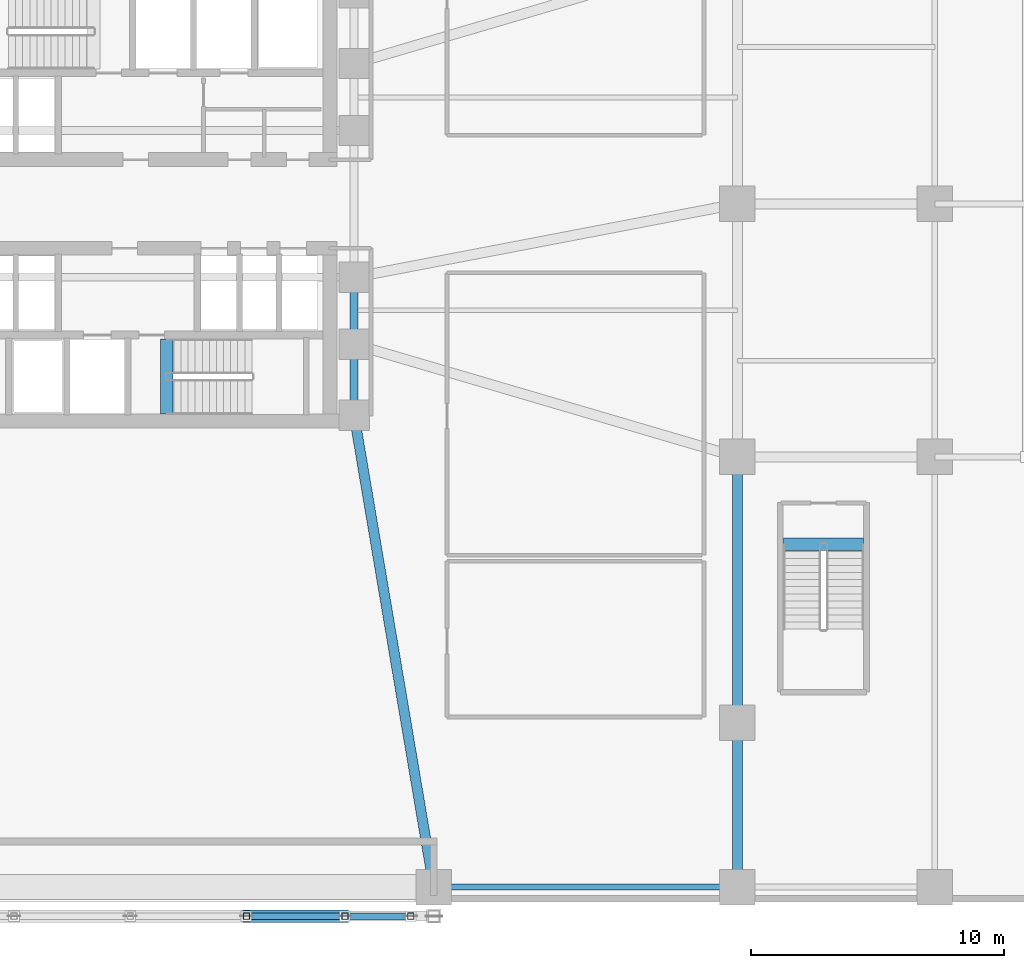
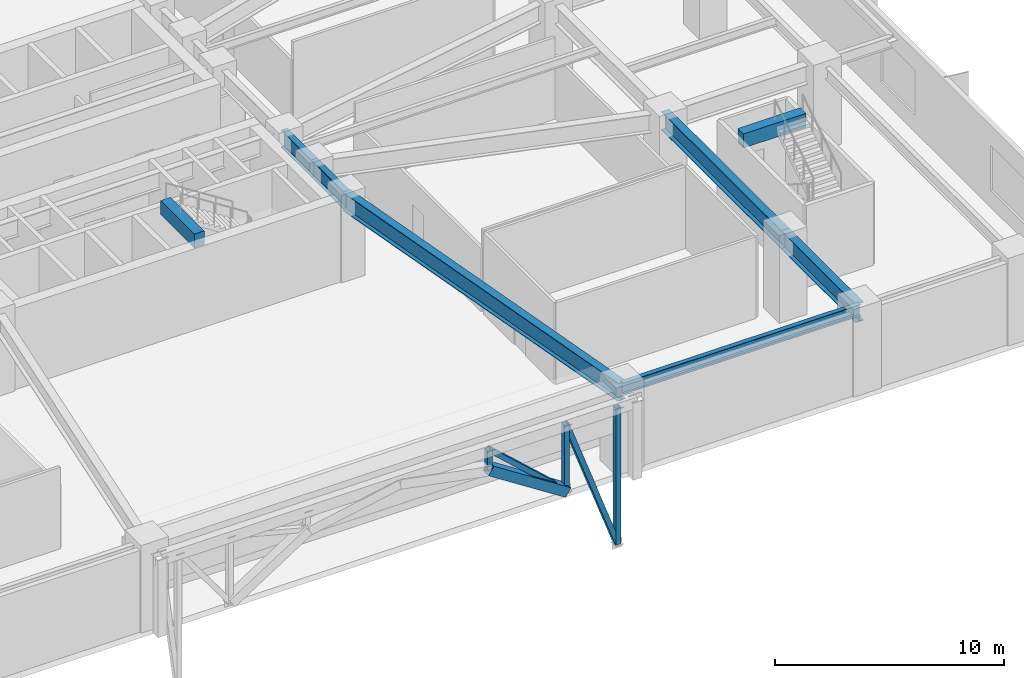
# One storey, part 5 of 21: 8 beams, 6 members.
"""IFC4 building model written with IfcOpenShell, lengths in metres."""

from ifc_helpers import new_model, si_unit, direction, frame, origin, origin_2d, place, context, subcontext, project, spatial, rectangle, hollow_rectangle, i_section, extrude, material, material_profile, profile_set, type_object, element, save


model = new_model("IFC4")

# Units and contexts
model_context = context("Model", 3, precision=1e-05, world=origin(), true_north=direction((0.0, 1.0)))
body_context = subcontext(model_context, "Body", "Model", "MODEL_VIEW")
ifc_project = project(units=[si_unit("LENGTHUNIT", "METRE"), si_unit("AREAUNIT", "SQUARE_METRE"), si_unit("VOLUMEUNIT", "CUBIC_METRE"), si_unit("PLANEANGLEUNIT", "RADIAN"), si_unit("MASSUNIT", "GRAM", prefix="KILO")], contexts=[model_context])

# Site, building, storey
site_placement = place(None, origin())
site = spatial("IfcSite", under=ifc_project, at=site_placement, CompositionType="ELEMENT")
building_placement = place(site_placement, origin())
building = spatial("IfcBuilding", under=site, at=building_placement, Name="Solmarez Civic Tower", CompositionType="ELEMENT")
storey_placement = place(building_placement, frame((0.0, 0.0, 10.080078125)))
storey = spatial("IfcBuildingStorey", under=building, at=storey_placement, Name="L02", CompositionType="ELEMENT", Elevation=10.080078125)

# Beams
ifc_material_1 = material(Name="Concrete C50/60", Category="concrete")
ifc_material_profile_1 = material_profile(ifc_material_1, rectangle(XDim=0.5, YDim=0.75, at=origin_2d()), Name="RC500X750")
ifc_profile_set_1 = profile_set([ifc_material_profile_1], Name="Concrete C50/60")
beam_type_1 = type_object("IfcBeamType", Name="BM-PR-RC500X750", PredefinedType="BEAM", material=ifc_profile_set_1)
beam_1_placement = place(storey_placement, frame((1.449951171875, -8.300048828125, 4.31298828125), z_axis=(0.0, 1.0, 0.0), x_axis=(-1.0, 0.0, 0.0)))
element("IfcBeam", 1, at=beam_1_placement, inside=storey, type_object=beam_type_1, Name="L02 South Stair Threshold Beam", PredefinedType="BEAM", context=body_context, shape_type="SweptSolid", body=[
    extrude(rectangle(XDim=0.5, YDim=0.75, at=origin_2d()), origin(), (0.0, 0.0, 1.0), 2.9599609375),
])
beam_2_placement = place(storey_placement, frame((25.820068359375, -13.449951171875, 4.31103515625), z_axis=(1.0, 0.0, 0.0), x_axis=(0.0, 1.0, 0.0)))
element("IfcBeam", 2, at=beam_2_placement, inside=storey, type_object=beam_type_1, Name="L02 East Podium Stair Threshold Beam", PredefinedType="BEAM", context=body_context, shape_type="SweptSolid", body=[
    extrude(rectangle(XDim=0.5, YDim=0.75, at=origin_2d()), origin(), (0.0, 0.0, 1.0), 3.159912109375),
])
ifc_material_2 = material(Name="Steel S355", Category="steel")
ifc_material_profile_2 = material_profile(ifc_material_2, i_section(OverallWidth=0.306884765625, OverallDepth=0.927001953125, WebThickness=0.019287109375, FlangeThickness=0.031982421875, at=origin_2d()), Name="W36X194")
ifc_profile_set_2 = profile_set([ifc_material_profile_2], Name="Steel S355")
beam_type_2 = type_object("IfcBeamType", Name="BM-PR-W36X194", PredefinedType="BEAM", material=ifc_profile_set_2)
beam_3_placement = place(storey_placement, frame((8.85009765625, -8.35009765625, 3.89599609375), z_axis=(0.0, 1.0, 0.0), x_axis=(-1.0, 0.0, 0.0)))
element("IfcBeam", 3, at=beam_3_placement, inside=storey, type_object=beam_type_2, Name="L02 Primary Floor Beam BM-L02-HC10-HC5", PredefinedType="BEAM", context=body_context, shape_type="SweptSolid", body=[
    extrude(i_section(OverallWidth=0.306884765625, OverallDepth=0.927001953125, WebThickness=0.019287109375, FlangeThickness=0.031982421875, at=origin_2d()), origin(), (0.0, 0.0, 1.0), 2.800048828125),
])
beam_4_placement = place(storey_placement, frame((8.85009765625, -5.550048828125, 3.89599609375), z_axis=(0.0, 1.0, 0.0), x_axis=(-1.0, 0.0, 0.0)))
element("IfcBeam", 4, at=beam_4_placement, inside=storey, type_object=beam_type_2, Name="L02 Primary Floor Beam BM-L02-HC5-HC6", PredefinedType="BEAM", context=body_context, shape_type="SweptSolid", body=[
    extrude(i_section(OverallWidth=0.306884765625, OverallDepth=0.927001953125, WebThickness=0.019287109375, FlangeThickness=0.031982421875, at=origin_2d()), origin(), (0.0, 0.0, 1.0), 2.650146484375),
])
ifc_material_profile_3 = material_profile(ifc_material_2, i_section(OverallWidth=0.39892578125, OverallDepth=0.98193359375, WebThickness=0.0166015625, FlangeThickness=0.027099609375, at=origin_2d()), Name="W40X199")
ifc_profile_set_3 = profile_set([ifc_material_profile_3], Name="Steel S355")
beam_type_3 = type_object("IfcBeamType", Name="BM-PR-W40X199", PredefinedType="BEAM", material=ifc_profile_set_3)
beam_5_placement = place(storey_placement, frame((24.0, -27.0, 3.868896484375), z_axis=(0.0, 1.0, 0.0), x_axis=(-1.0, 0.0, 0.0)))
element("IfcBeam", 5, at=beam_5_placement, inside=storey, type_object=beam_type_3, Name="L02 Primary Floor Beam BM-L02-PC05-PC28", PredefinedType="BEAM", context=body_context, shape_type="SweptSolid", body=[
    extrude(i_section(OverallWidth=0.39892578125, OverallDepth=0.98193359375, WebThickness=0.0166015625, FlangeThickness=0.027099609375, at=origin_2d()), origin(), (0.0, 0.0, 1.0), 6.5),
])
beam_6_placement = place(storey_placement, frame((24.0, -20.5, 3.868896484375), z_axis=(0.0, 1.0, 0.0), x_axis=(-1.0, 0.0, 0.0)))
element("IfcBeam", 6, at=beam_6_placement, inside=storey, type_object=beam_type_3, Name="L02 Primary Floor Beam BM-L02-PC28-PC22", PredefinedType="BEAM", context=body_context, shape_type="SweptSolid", body=[
    extrude(i_section(OverallWidth=0.39892578125, OverallDepth=0.98193359375, WebThickness=0.0166015625, FlangeThickness=0.027099609375, at=origin_2d()), origin(), (0.0, 0.0, 1.0), 10.5),
])
beam_7_placement = place(storey_placement, frame((12.0, -27.0, 3.868896484375), z_axis=(-0.166537824737, 0.986035066786, 0.0), x_axis=(-0.986035066786, -0.166537824737, 0.0)))
element("IfcBeam", 7, at=beam_7_placement, inside=storey, type_object=beam_type_3, Name="L02 Primary Floor Beam BM-L02-PC04-HC10", PredefinedType="BEAM", context=body_context, shape_type="SweptSolid", body=[
    extrude(i_section(OverallWidth=0.39892578125, OverallDepth=0.98193359375, WebThickness=0.0166015625, FlangeThickness=0.027099609375, at=origin_2d()), origin(), (0.0, 0.0, 1.0), 18.9140625),
])
ifc_material_profile_4 = material_profile(ifc_material_2, i_section(OverallWidth=0.22900390625, OverallDepth=0.612060546875, WebThickness=0.011962890625, FlangeThickness=0.01953125, at=origin_2d()), Name="W24X84")
ifc_profile_set_4 = profile_set([ifc_material_profile_4], Name="Steel S355")
beam_type_4 = type_object("IfcBeamType", Name="BM-SP-W24X84", PredefinedType="SPANDREL", material=ifc_profile_set_4)
beam_8_placement = place(storey_placement, frame((12.0, -27.0, 4.053955078125), z_axis=(1.0, 0.0, 0.0), x_axis=(0.0, 1.0, 0.0)))
element("IfcBeam", 8, at=beam_8_placement, inside=storey, type_object=beam_type_4, Name="L02 Perimeter Spandrel Beam BM-L02-PC04-PC05", PredefinedType="SPANDREL", context=body_context, shape_type="SweptSolid", body=[
    extrude(i_section(OverallWidth=0.22900390625, OverallDepth=0.612060546875, WebThickness=0.011962890625, FlangeThickness=0.01953125, at=origin_2d()), origin(), (0.0, 0.0, 1.0), 12.0),
])

# Members
ifc_material_profile_5 = material_profile(ifc_material_2, hollow_rectangle(XDim=0.5, YDim=0.5, WallThickness=0.02490234375, at=origin_2d()), Name="HSS500X500X25")
ifc_profile_set_5 = profile_set([ifc_material_profile_5], Name="Steel S355")
member_type_1 = type_object("IfcMemberType", Name="MEM-ARCH-HSS500", PredefinedType="USERDEFINED", material=ifc_profile_set_5)
member_1_placement = place(storey_placement, frame((4.592041015625, -28.14990234375, 3.036865234375), z_axis=(0.839978354919, 0.0, -0.542619906812), x_axis=(0.0, 1.0, 0.0)))
element("IfcMember", 9, at=member_1_placement, inside=storey, type_object=member_type_1, Name="South Civic Arch Rib Segment 6", ObjectType="ARCH_RIB", PredefinedType="USERDEFINED", context=body_context, shape_type="SweptSolid", body=[
    extrude(hollow_rectangle(XDim=0.5, YDim=0.5, WallThickness=0.02490234375, at=origin_2d()), origin(), (0.0, 0.0, 1.0), 4.634765625),
])
ifc_material_profile_6 = material_profile(ifc_material_2, hollow_rectangle(XDim=0.25, YDim=0.25, WallThickness=0.011962890625, at=origin_2d()), Name="HSS250X250X12")
ifc_profile_set_6 = profile_set([ifc_material_profile_6], Name="Steel S355")
member_type_2 = type_object("IfcMemberType", Name="MEM-BRC-HSS250", PredefinedType="BRACE", material=ifc_profile_set_6)
member_2_placement = place(storey_placement, frame((4.592041015625, -28.14990234375, 3.036865234375), z_axis=(0.0, 0.0, 1.0), x_axis=(1.0, 0.0, 0.0)))
element("IfcMember", 10, at=member_2_placement, inside=storey, type_object=member_type_2, Name="South Civic Arch Spandrel Web Post 5", PredefinedType="BRACE", context=body_context, shape_type="SweptSolid", body=[
    extrude(hollow_rectangle(XDim=0.25, YDim=0.25, WallThickness=0.011962890625, at=origin_2d()), origin(), (0.0, 0.0, 1.0), 1.032958984375),
])
member_3_placement = place(storey_placement, frame((8.485107421875, -28.14990234375, 0.52197265625), z_axis=(0.0, 0.0, 1.0), x_axis=(1.0, 0.0, 0.0)))
element("IfcMember", 11, at=member_3_placement, inside=storey, type_object=member_type_2, Name="South Civic Arch Spandrel Web Post 6", PredefinedType="BRACE", context=body_context, shape_type="SweptSolid", body=[
    extrude(hollow_rectangle(XDim=0.25, YDim=0.25, WallThickness=0.011962890625, at=origin_2d()), origin(), (0.0, 0.0, 1.0), 3.5478515625),
])
member_4_placement = place(storey_placement, frame((4.592041015625, -28.14990234375, 4.06982421875), z_axis=(0.739117362435, 0.0, -0.673576665679), x_axis=(0.0, 1.0, 0.0)))
element("IfcMember", 12, at=member_4_placement, inside=storey, type_object=member_type_2, Name="South Civic Arch Spandrel Diagonal 6", PredefinedType="BRACE", context=body_context, shape_type="SweptSolid", body=[
    extrude(hollow_rectangle(XDim=0.25, YDim=0.25, WallThickness=0.011962890625, at=origin_2d()), origin(), (0.0, 0.0, 1.0), 5.26708984375),
])
member_5_placement = place(storey_placement, frame((11.0869140625, -28.14990234375, -3.240966796875), z_axis=(0.0, 0.0, 1.0), x_axis=(1.0, 0.0, 0.0)))
element("IfcMember", 13, at=member_5_placement, inside=storey, type_object=member_type_2, Name="South Civic Arch Spandrel Web Post 7", PredefinedType="BRACE", context=body_context, shape_type="SweptSolid", body=[
    extrude(hollow_rectangle(XDim=0.25, YDim=0.25, WallThickness=0.011962890625, at=origin_2d()), origin(), (0.0, 0.0, 1.0), 7.310791015625),
])
member_6_placement = place(storey_placement, frame((8.485107421875, -28.14990234375, 4.06982421875), z_axis=(0.335285855698, 0.0, -0.942116444485), x_axis=(0.0, 1.0, 0.0)))
element("IfcMember", 14, at=member_6_placement, inside=storey, type_object=member_type_2, Name="South Civic Arch Spandrel Diagonal 7", PredefinedType="BRACE", context=body_context, shape_type="SweptSolid", body=[
    extrude(hollow_rectangle(XDim=0.25, YDim=0.25, WallThickness=0.011962890625, at=origin_2d()), origin(), (0.0, 0.0, 1.0), 7.760009765625),
])

save(model, "model.ifc")
